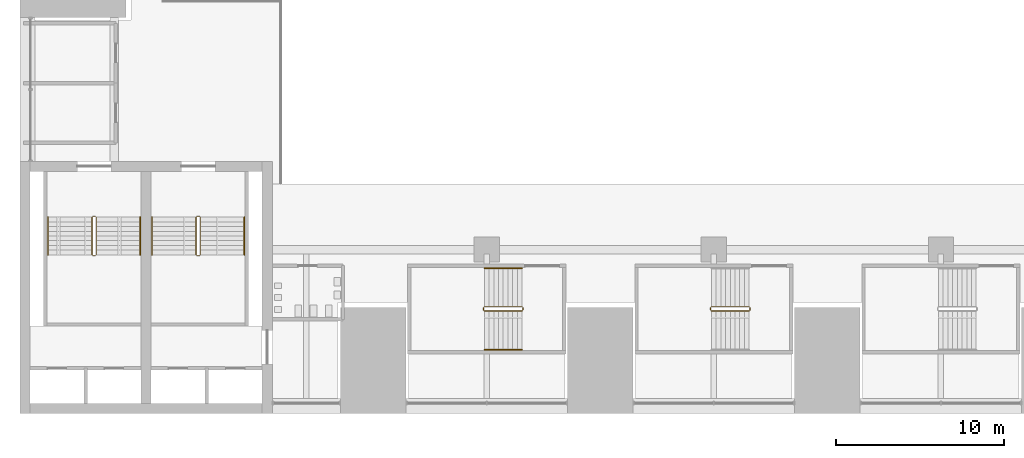
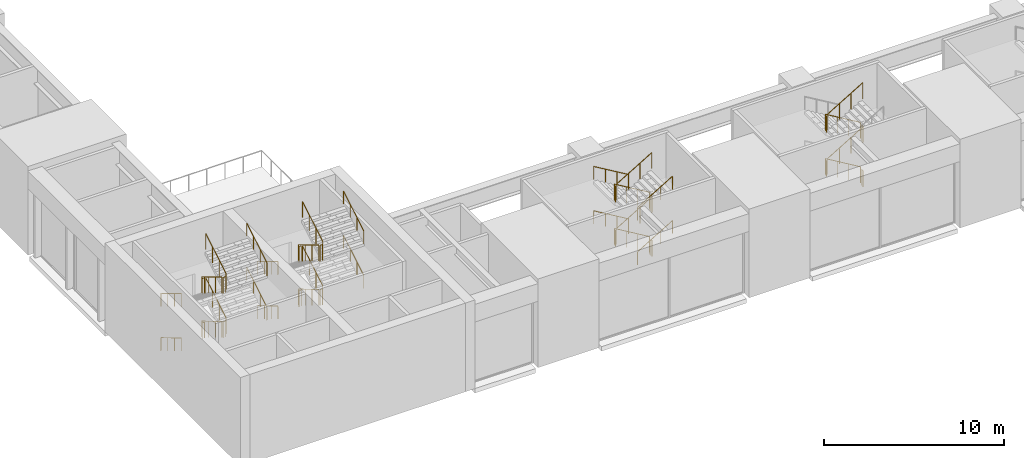
# One storey, part 35 of 41: 7 railings.
"""IFC4 building model written with IfcOpenShell, lengths in metres."""

from ifc_helpers import new_model, si_unit, direction, frame, origin, origin_2d, place, context, subcontext, project, spatial, circle, extrude, material, type_object, element, save


model = new_model("IFC4")

# Units and contexts
model_context = context("Model", 3, precision=1e-05, world=origin(), true_north=direction((0.0, 1.0)))
body_context = subcontext(model_context, "Body", "Model", "MODEL_VIEW")
ifc_project = project(units=[si_unit("LENGTHUNIT", "METRE"), si_unit("AREAUNIT", "SQUARE_METRE"), si_unit("VOLUMEUNIT", "CUBIC_METRE"), si_unit("PLANEANGLEUNIT", "RADIAN"), si_unit("MASSUNIT", "GRAM", prefix="KILO")], contexts=[model_context])

# Site, building, storey
site_placement = place(None, origin())
site = spatial("IfcSite", under=ifc_project, at=site_placement, CompositionType="ELEMENT")
building_placement = place(site_placement, origin())
building = spatial("IfcBuilding", under=site, at=building_placement, Name="Corbelhall Arena Tower", CompositionType="ELEMENT")
storey_placement = place(building_placement, frame((0.0, 0.0, 19.0)))
storey = spatial("IfcBuildingStorey", under=building, at=storey_placement, Name="L02", CompositionType="ELEMENT", Elevation=19.0)

# Railings
ifc_material = material(Name="Stainless steel A4", Category="steel")
railing_type_1 = type_object("IfcRailingType", Name="AR-STAIR-GUARD", PredefinedType="GUARDRAIL", material=ifc_material)
railing_1_placement = place(storey_placement, frame((-18.14990234375, -32.64990234375, 0.166748046875)))
element("IfcRailing", 1, at=railing_1_placement, inside=storey, type_object=railing_type_1, Name="L02 AS13 stair guards", PredefinedType="GUARDRAIL", context=body_context, shape_type="SweptSolid", body=[
    extrude(circle(Radius=0.02392578125, at=origin_2d()), frame((0.0, 0.0, 1.076171875), z_axis=(-0.859305625298, 0.0, 0.511462454469), x_axis=(0.0, -1.0, 0.0)), (0.0, 0.0, 1.0), 2.606689453125),
    extrude(circle(Radius=0.02392578125, at=origin_2d()), frame((-2.2900390625, -0.050048828125, 2.4091796875), z_axis=(0.0, -1.0, 0.0), x_axis=(1.0, 0.0, 0.0)), (0.0, 0.0, 1.0), 0.150146484375),
    extrude(circle(Radius=0.02392578125, at=origin_2d()), frame((-2.239990234375, -0.25, 2.576171875), z_axis=(0.859305625298, 0.0, 0.511462454469), x_axis=(0.0, 1.0, 0.0)), (0.0, 0.0, 1.0), 2.606689453125),
    extrude(circle(Radius=0.02392578125, at=origin_2d()), frame((0.0498046875, -0.050048828125, 3.9091796875), z_axis=(0.0, -1.0, 0.0), x_axis=(1.0, 0.0, 0.0)), (0.0, 0.0, 1.0), 0.150146484375),
    extrude(circle(Radius=0.02392578125, at=origin_2d()), frame((0.0, 0.0, 4.076171875), z_axis=(-0.859305625298, 0.0, 0.511462454469), x_axis=(0.0, -1.0, 0.0)), (0.0, 0.0, 1.0), 2.606689453125),
    extrude(circle(Radius=0.02392578125, at=origin_2d()), frame((-2.2900390625, -0.050048828125, 5.4091796875), z_axis=(0.0, -1.0, 0.0), x_axis=(1.0, 0.0, 0.0)), (0.0, 0.0, 1.0), 0.150146484375),
    extrude(circle(Radius=0.02392578125, at=origin_2d()), frame((-2.239990234375, -0.25, 5.576171875), z_axis=(0.859305625298, 0.0, 0.511462454469), x_axis=(0.0, 1.0, 0.0)), (0.0, 0.0, 1.0), 2.606689453125),
    extrude(circle(Radius=0.02392578125, at=origin_2d()), frame((0.0498046875, -0.050048828125, 0.9091796875), z_axis=(0.0, -1.0, 0.0), x_axis=(1.0, 0.0, 0.0)), (0.0, 0.0, 1.0), 0.150146484375),
    extrude(circle(Radius=0.02099609375, at=origin_2d()), origin(), (0.0, 0.0, 1.0), 1.052001953125),
    extrude(circle(Radius=0.02099609375, at=origin_2d()), frame((-0.74658203125, 0.0, 0.4443359375)), (0.0, 0.0, 1.0), 1.052001953125),
    extrude(circle(Radius=0.02099609375, at=origin_2d()), frame((-1.493408203125, 0.0, 0.888916015625)), (0.0, 0.0, 1.0), 1.052001953125),
    extrude(circle(Radius=0.02099609375, at=origin_2d()), frame((-2.239990234375, 0.0, 1.333251953125)), (0.0, 0.0, 1.0), 1.052001953125),
    extrude(circle(Radius=0.02099609375, at=origin_2d()), frame((-2.2900390625, -0.050048828125, 1.333251953125)), (0.0, 0.0, 1.0), 1.052001953125),
    extrude(circle(Radius=0.02099609375, at=origin_2d()), frame((-2.2900390625, -0.2001953125, 1.333251953125)), (0.0, 0.0, 1.0), 1.052001953125),
    extrude(circle(Radius=0.02099609375, at=origin_2d()), frame((-2.239990234375, -0.25, 1.5)), (0.0, 0.0, 1.0), 1.052001953125),
    extrude(circle(Radius=0.02099609375, at=origin_2d()), frame((-1.493408203125, -0.25, 1.9443359375)), (0.0, 0.0, 1.0), 1.052001953125),
    extrude(circle(Radius=0.02099609375, at=origin_2d()), frame((-0.74658203125, -0.25, 2.388916015625)), (0.0, 0.0, 1.0), 1.052001953125),
    extrude(circle(Radius=0.02099609375, at=origin_2d()), frame((0.0, -0.25, 2.833251953125)), (0.0, 0.0, 1.0), 1.052001953125),
    extrude(circle(Radius=0.02099609375, at=origin_2d()), frame((0.0498046875, -0.050048828125, 2.833251953125)), (0.0, 0.0, 1.0), 1.052001953125),
    extrude(circle(Radius=0.02099609375, at=origin_2d()), frame((0.0498046875, -0.2001953125, 2.833251953125)), (0.0, 0.0, 1.0), 1.052001953125),
    extrude(circle(Radius=0.02099609375, at=origin_2d()), frame((0.0, 0.0, 3.0)), (0.0, 0.0, 1.0), 1.052001953125),
    extrude(circle(Radius=0.02099609375, at=origin_2d()), frame((-0.74658203125, 0.0, 3.4443359375)), (0.0, 0.0, 1.0), 1.052001953125),
    extrude(circle(Radius=0.02099609375, at=origin_2d()), frame((-1.493408203125, 0.0, 3.888916015625)), (0.0, 0.0, 1.0), 1.052001953125),
    extrude(circle(Radius=0.02099609375, at=origin_2d()), frame((-2.239990234375, 0.0, 4.333251953125)), (0.0, 0.0, 1.0), 1.052001953125),
    extrude(circle(Radius=0.02099609375, at=origin_2d()), frame((-2.2900390625, -0.050048828125, 4.333251953125)), (0.0, 0.0, 1.0), 1.052001953125),
    extrude(circle(Radius=0.02099609375, at=origin_2d()), frame((-2.2900390625, -0.2001953125, 4.333251953125)), (0.0, 0.0, 1.0), 1.052001953125),
    extrude(circle(Radius=0.02099609375, at=origin_2d()), frame((-2.239990234375, -0.25, 4.5)), (0.0, 0.0, 1.0), 1.052001953125),
    extrude(circle(Radius=0.02099609375, at=origin_2d()), frame((-1.493408203125, -0.25, 4.9443359375)), (0.0, 0.0, 1.0), 1.052001953125),
    extrude(circle(Radius=0.02099609375, at=origin_2d()), frame((-0.74658203125, -0.25, 5.388916015625)), (0.0, 0.0, 1.0), 1.052001953125),
    extrude(circle(Radius=0.02099609375, at=origin_2d()), frame((0.0, -0.25, 5.833251953125)), (0.0, 0.0, 1.0), 1.052001953125),
    extrude(circle(Radius=0.02099609375, at=origin_2d()), frame((0.0498046875, -0.050048828125, -0.166748046875)), (0.0, 0.0, 1.0), 1.052001953125),
    extrude(circle(Radius=0.02099609375, at=origin_2d()), frame((0.0498046875, -0.2001953125, -0.166748046875)), (0.0, 0.0, 1.0), 1.052001953125),
])
railing_2_placement = place(storey_placement, frame((-4.64990234375, -32.64990234375, 0.166748046875)))
element("IfcRailing", 2, at=railing_2_placement, inside=storey, type_object=railing_type_1, Name="L02 AS14 stair guards", PredefinedType="GUARDRAIL", context=body_context, shape_type="SweptSolid", body=[
    extrude(circle(Radius=0.02392578125, at=origin_2d()), frame((0.0, 0.0, 1.076171875), z_axis=(-0.859305625298, 0.0, 0.511462454469), x_axis=(0.0, -1.0, 0.0)), (0.0, 0.0, 1.0), 2.606689453125),
    extrude(circle(Radius=0.02392578125, at=origin_2d()), frame((-2.2900390625, -0.050048828125, 2.4091796875), z_axis=(0.0, -1.0, 0.0), x_axis=(1.0, 0.0, 0.0)), (0.0, 0.0, 1.0), 0.150146484375),
    extrude(circle(Radius=0.02392578125, at=origin_2d()), frame((-2.239990234375, -0.25, 2.576171875), z_axis=(0.859305625298, 0.0, 0.511462454469), x_axis=(0.0, 1.0, 0.0)), (0.0, 0.0, 1.0), 2.606689453125),
    extrude(circle(Radius=0.02392578125, at=origin_2d()), frame((0.0498046875, -0.050048828125, 3.9091796875), z_axis=(0.0, -1.0, 0.0), x_axis=(1.0, 0.0, 0.0)), (0.0, 0.0, 1.0), 0.150146484375),
    extrude(circle(Radius=0.02392578125, at=origin_2d()), frame((0.0, 0.0, 4.076171875), z_axis=(-0.859305625298, 0.0, 0.511462454469), x_axis=(0.0, -1.0, 0.0)), (0.0, 0.0, 1.0), 2.606689453125),
    extrude(circle(Radius=0.02392578125, at=origin_2d()), frame((-2.2900390625, -0.050048828125, 5.4091796875), z_axis=(0.0, -1.0, 0.0), x_axis=(1.0, 0.0, 0.0)), (0.0, 0.0, 1.0), 0.150146484375),
    extrude(circle(Radius=0.02392578125, at=origin_2d()), frame((-2.239990234375, -0.25, 5.576171875), z_axis=(0.859305625298, 0.0, 0.511462454469), x_axis=(0.0, 1.0, 0.0)), (0.0, 0.0, 1.0), 2.606689453125),
    extrude(circle(Radius=0.02392578125, at=origin_2d()), frame((0.0498046875, -0.050048828125, 0.9091796875), z_axis=(0.0, -1.0, 0.0), x_axis=(1.0, 0.0, 0.0)), (0.0, 0.0, 1.0), 0.150146484375),
    extrude(circle(Radius=0.02099609375, at=origin_2d()), origin(), (0.0, 0.0, 1.0), 1.052001953125),
    extrude(circle(Radius=0.02099609375, at=origin_2d()), frame((-0.74658203125, 0.0, 0.4443359375)), (0.0, 0.0, 1.0), 1.052001953125),
    extrude(circle(Radius=0.02099609375, at=origin_2d()), frame((-1.493408203125, 0.0, 0.888916015625)), (0.0, 0.0, 1.0), 1.052001953125),
    extrude(circle(Radius=0.02099609375, at=origin_2d()), frame((-2.239990234375, 0.0, 1.333251953125)), (0.0, 0.0, 1.0), 1.052001953125),
    extrude(circle(Radius=0.02099609375, at=origin_2d()), frame((-2.2900390625, -0.050048828125, 1.333251953125)), (0.0, 0.0, 1.0), 1.052001953125),
    extrude(circle(Radius=0.02099609375, at=origin_2d()), frame((-2.2900390625, -0.2001953125, 1.333251953125)), (0.0, 0.0, 1.0), 1.052001953125),
    extrude(circle(Radius=0.02099609375, at=origin_2d()), frame((-2.239990234375, -0.25, 1.5)), (0.0, 0.0, 1.0), 1.052001953125),
    extrude(circle(Radius=0.02099609375, at=origin_2d()), frame((-1.493408203125, -0.25, 1.9443359375)), (0.0, 0.0, 1.0), 1.052001953125),
    extrude(circle(Radius=0.02099609375, at=origin_2d()), frame((-0.74658203125, -0.25, 2.388916015625)), (0.0, 0.0, 1.0), 1.052001953125),
    extrude(circle(Radius=0.02099609375, at=origin_2d()), frame((0.0, -0.25, 2.833251953125)), (0.0, 0.0, 1.0), 1.052001953125),
    extrude(circle(Radius=0.02099609375, at=origin_2d()), frame((0.0498046875, -0.050048828125, 2.833251953125)), (0.0, 0.0, 1.0), 1.052001953125),
    extrude(circle(Radius=0.02099609375, at=origin_2d()), frame((0.0498046875, -0.2001953125, 2.833251953125)), (0.0, 0.0, 1.0), 1.052001953125),
    extrude(circle(Radius=0.02099609375, at=origin_2d()), frame((0.0, 0.0, 3.0)), (0.0, 0.0, 1.0), 1.052001953125),
    extrude(circle(Radius=0.02099609375, at=origin_2d()), frame((-0.74658203125, 0.0, 3.4443359375)), (0.0, 0.0, 1.0), 1.052001953125),
    extrude(circle(Radius=0.02099609375, at=origin_2d()), frame((-1.493408203125, 0.0, 3.888916015625)), (0.0, 0.0, 1.0), 1.052001953125),
    extrude(circle(Radius=0.02099609375, at=origin_2d()), frame((-2.239990234375, 0.0, 4.333251953125)), (0.0, 0.0, 1.0), 1.052001953125),
    extrude(circle(Radius=0.02099609375, at=origin_2d()), frame((-2.2900390625, -0.050048828125, 4.333251953125)), (0.0, 0.0, 1.0), 1.052001953125),
    extrude(circle(Radius=0.02099609375, at=origin_2d()), frame((-2.2900390625, -0.2001953125, 4.333251953125)), (0.0, 0.0, 1.0), 1.052001953125),
    extrude(circle(Radius=0.02099609375, at=origin_2d()), frame((-2.239990234375, -0.25, 4.5)), (0.0, 0.0, 1.0), 1.052001953125),
    extrude(circle(Radius=0.02099609375, at=origin_2d()), frame((-1.493408203125, -0.25, 4.9443359375)), (0.0, 0.0, 1.0), 1.052001953125),
    extrude(circle(Radius=0.02099609375, at=origin_2d()), frame((-0.74658203125, -0.25, 5.388916015625)), (0.0, 0.0, 1.0), 1.052001953125),
    extrude(circle(Radius=0.02099609375, at=origin_2d()), frame((0.0, -0.25, 5.833251953125)), (0.0, 0.0, 1.0), 1.052001953125),
    extrude(circle(Radius=0.02099609375, at=origin_2d()), frame((0.0498046875, -0.050048828125, -0.166748046875)), (0.0, 0.0, 1.0), 1.052001953125),
    extrude(circle(Radius=0.02099609375, at=origin_2d()), frame((0.0498046875, -0.2001953125, -0.166748046875)), (0.0, 0.0, 1.0), 1.052001953125),
])
railing_3_placement = place(storey_placement, frame((-37.530029296875, -27.320068359375, 0.166748046875)))
element("IfcRailing", 3, at=railing_3_placement, inside=storey, type_object=railing_type_1, Name="L02 AS7 stair guards", PredefinedType="GUARDRAIL", context=body_context, shape_type="SweptSolid", body=[
    extrude(circle(Radius=0.02392578125, at=origin_2d()), frame((0.0, 0.0, 1.076171875), z_axis=(0.0, -0.859305625298, 0.511462454469), x_axis=(1.0, 0.0, 0.0)), (0.0, 0.0, 1.0), 2.606689453125),
    extrude(circle(Radius=0.02392578125, at=origin_2d()), frame((0.050048828125, -2.2900390625, 2.4091796875), z_axis=(1.0, 0.0, 0.0), x_axis=(0.0, 1.0, 0.0)), (0.0, 0.0, 1.0), 0.14990234375),
    extrude(circle(Radius=0.02392578125, at=origin_2d()), frame((0.25, -2.239990234375, 2.576171875), z_axis=(0.0, 0.859305625298, 0.511462454469), x_axis=(-1.0, 0.0, 0.0)), (0.0, 0.0, 1.0), 2.606689453125),
    extrude(circle(Radius=0.02392578125, at=origin_2d()), frame((0.050048828125, 0.050048828125, 3.9091796875), z_axis=(1.0, 0.0, 0.0), x_axis=(0.0, 1.0, 0.0)), (0.0, 0.0, 1.0), 0.14990234375),
    extrude(circle(Radius=0.02392578125, at=origin_2d()), frame((0.0, 0.0, 4.076171875), z_axis=(0.0, -0.859305625298, 0.511462454469), x_axis=(1.0, 0.0, 0.0)), (0.0, 0.0, 1.0), 2.606689453125),
    extrude(circle(Radius=0.02392578125, at=origin_2d()), frame((0.050048828125, -2.2900390625, 5.4091796875), z_axis=(1.0, 0.0, 0.0), x_axis=(0.0, 1.0, 0.0)), (0.0, 0.0, 1.0), 0.14990234375),
    extrude(circle(Radius=0.02392578125, at=origin_2d()), frame((0.25, -2.239990234375, 5.576171875), z_axis=(0.0, 0.859305625298, 0.511462454469), x_axis=(-1.0, 0.0, 0.0)), (0.0, 0.0, 1.0), 2.606689453125),
    extrude(circle(Radius=0.02392578125, at=origin_2d()), frame((0.050048828125, 0.050048828125, 0.9091796875), z_axis=(1.0, 0.0, 0.0), x_axis=(0.0, 1.0, 0.0)), (0.0, 0.0, 1.0), 0.14990234375),
    extrude(circle(Radius=0.02099609375, at=origin_2d()), origin(), (0.0, 0.0, 1.0), 1.052001953125),
    extrude(circle(Radius=0.02099609375, at=origin_2d()), frame((0.0, -0.74658203125, 0.4443359375)), (0.0, 0.0, 1.0), 1.052001953125),
    extrude(circle(Radius=0.02099609375, at=origin_2d()), frame((0.0, -1.493408203125, 0.888916015625)), (0.0, 0.0, 1.0), 1.052001953125),
    extrude(circle(Radius=0.02099609375, at=origin_2d()), frame((0.0, -2.239990234375, 1.333251953125)), (0.0, 0.0, 1.0), 1.052001953125),
    extrude(circle(Radius=0.02099609375, at=origin_2d()), frame((0.050048828125, -2.2900390625, 1.333251953125)), (0.0, 0.0, 1.0), 1.052001953125),
    extrude(circle(Radius=0.02099609375, at=origin_2d()), frame((0.199951171875, -2.2900390625, 1.333251953125)), (0.0, 0.0, 1.0), 1.052001953125),
    extrude(circle(Radius=0.02099609375, at=origin_2d()), frame((0.25, -2.239990234375, 1.5)), (0.0, 0.0, 1.0), 1.052001953125),
    extrude(circle(Radius=0.02099609375, at=origin_2d()), frame((0.25, -1.493408203125, 1.9443359375)), (0.0, 0.0, 1.0), 1.052001953125),
    extrude(circle(Radius=0.02099609375, at=origin_2d()), frame((0.25, -0.74658203125, 2.388916015625)), (0.0, 0.0, 1.0), 1.052001953125),
    extrude(circle(Radius=0.02099609375, at=origin_2d()), frame((0.25, 0.0, 2.833251953125)), (0.0, 0.0, 1.0), 1.052001953125),
    extrude(circle(Radius=0.02099609375, at=origin_2d()), frame((0.050048828125, 0.050048828125, 2.833251953125)), (0.0, 0.0, 1.0), 1.052001953125),
    extrude(circle(Radius=0.02099609375, at=origin_2d()), frame((0.199951171875, 0.050048828125, 2.833251953125)), (0.0, 0.0, 1.0), 1.052001953125),
    extrude(circle(Radius=0.02099609375, at=origin_2d()), frame((0.0, 0.0, 3.0)), (0.0, 0.0, 1.0), 1.052001953125),
    extrude(circle(Radius=0.02099609375, at=origin_2d()), frame((0.0, -0.74658203125, 3.4443359375)), (0.0, 0.0, 1.0), 1.052001953125),
    extrude(circle(Radius=0.02099609375, at=origin_2d()), frame((0.0, -1.493408203125, 3.888916015625)), (0.0, 0.0, 1.0), 1.052001953125),
    extrude(circle(Radius=0.02099609375, at=origin_2d()), frame((0.0, -2.239990234375, 4.333251953125)), (0.0, 0.0, 1.0), 1.052001953125),
    extrude(circle(Radius=0.02099609375, at=origin_2d()), frame((0.050048828125, -2.2900390625, 4.333251953125)), (0.0, 0.0, 1.0), 1.052001953125),
    extrude(circle(Radius=0.02099609375, at=origin_2d()), frame((0.199951171875, -2.2900390625, 4.333251953125)), (0.0, 0.0, 1.0), 1.052001953125),
    extrude(circle(Radius=0.02099609375, at=origin_2d()), frame((0.25, -2.239990234375, 4.5)), (0.0, 0.0, 1.0), 1.052001953125),
    extrude(circle(Radius=0.02099609375, at=origin_2d()), frame((0.25, -1.493408203125, 4.9443359375)), (0.0, 0.0, 1.0), 1.052001953125),
    extrude(circle(Radius=0.02099609375, at=origin_2d()), frame((0.25, -0.74658203125, 5.388916015625)), (0.0, 0.0, 1.0), 1.052001953125),
    extrude(circle(Radius=0.02099609375, at=origin_2d()), frame((0.25, 0.0, 5.833251953125)), (0.0, 0.0, 1.0), 1.052001953125),
    extrude(circle(Radius=0.02099609375, at=origin_2d()), frame((0.050048828125, 0.050048828125, -0.166748046875)), (0.0, 0.0, 1.0), 1.052001953125),
    extrude(circle(Radius=0.02099609375, at=origin_2d()), frame((0.199951171875, 0.050048828125, -0.166748046875)), (0.0, 0.0, 1.0), 1.052001953125),
])
railing_4_placement = place(storey_placement, frame((-43.719970703125, -27.320068359375, 0.166748046875)))
element("IfcRailing", 4, at=railing_4_placement, inside=storey, type_object=railing_type_1, Name="L02 AS8 stair guards", PredefinedType="GUARDRAIL", context=body_context, shape_type="SweptSolid", body=[
    extrude(circle(Radius=0.02392578125, at=origin_2d()), frame((0.0, 0.0, 1.076171875), z_axis=(0.0, -0.859305625298, 0.511462454469), x_axis=(1.0, 0.0, 0.0)), (0.0, 0.0, 1.0), 2.606689453125),
    extrude(circle(Radius=0.02392578125, at=origin_2d()), frame((0.050048828125, -2.2900390625, 2.4091796875), z_axis=(1.0, 0.0, 0.0), x_axis=(0.0, 1.0, 0.0)), (0.0, 0.0, 1.0), 0.14990234375),
    extrude(circle(Radius=0.02392578125, at=origin_2d()), frame((0.25, -2.239990234375, 2.576171875), z_axis=(0.0, 0.859305625298, 0.511462454469), x_axis=(-1.0, 0.0, 0.0)), (0.0, 0.0, 1.0), 2.606689453125),
    extrude(circle(Radius=0.02392578125, at=origin_2d()), frame((0.050048828125, 0.050048828125, 3.9091796875), z_axis=(1.0, 0.0, 0.0), x_axis=(0.0, 1.0, 0.0)), (0.0, 0.0, 1.0), 0.14990234375),
    extrude(circle(Radius=0.02392578125, at=origin_2d()), frame((0.0, 0.0, 4.076171875), z_axis=(0.0, -0.859305625298, 0.511462454469), x_axis=(1.0, 0.0, 0.0)), (0.0, 0.0, 1.0), 2.606689453125),
    extrude(circle(Radius=0.02392578125, at=origin_2d()), frame((0.050048828125, -2.2900390625, 5.4091796875), z_axis=(1.0, 0.0, 0.0), x_axis=(0.0, 1.0, 0.0)), (0.0, 0.0, 1.0), 0.14990234375),
    extrude(circle(Radius=0.02392578125, at=origin_2d()), frame((0.25, -2.239990234375, 5.576171875), z_axis=(0.0, 0.859305625298, 0.511462454469), x_axis=(-1.0, 0.0, 0.0)), (0.0, 0.0, 1.0), 2.606689453125),
    extrude(circle(Radius=0.02392578125, at=origin_2d()), frame((0.050048828125, 0.050048828125, 0.9091796875), z_axis=(1.0, 0.0, 0.0), x_axis=(0.0, 1.0, 0.0)), (0.0, 0.0, 1.0), 0.14990234375),
    extrude(circle(Radius=0.02099609375, at=origin_2d()), origin(), (0.0, 0.0, 1.0), 1.052001953125),
    extrude(circle(Radius=0.02099609375, at=origin_2d()), frame((0.0, -0.74658203125, 0.4443359375)), (0.0, 0.0, 1.0), 1.052001953125),
    extrude(circle(Radius=0.02099609375, at=origin_2d()), frame((0.0, -1.493408203125, 0.888916015625)), (0.0, 0.0, 1.0), 1.052001953125),
    extrude(circle(Radius=0.02099609375, at=origin_2d()), frame((0.0, -2.239990234375, 1.333251953125)), (0.0, 0.0, 1.0), 1.052001953125),
    extrude(circle(Radius=0.02099609375, at=origin_2d()), frame((0.050048828125, -2.2900390625, 1.333251953125)), (0.0, 0.0, 1.0), 1.052001953125),
    extrude(circle(Radius=0.02099609375, at=origin_2d()), frame((0.199951171875, -2.2900390625, 1.333251953125)), (0.0, 0.0, 1.0), 1.052001953125),
    extrude(circle(Radius=0.02099609375, at=origin_2d()), frame((0.25, -2.239990234375, 1.5)), (0.0, 0.0, 1.0), 1.052001953125),
    extrude(circle(Radius=0.02099609375, at=origin_2d()), frame((0.25, -1.493408203125, 1.9443359375)), (0.0, 0.0, 1.0), 1.052001953125),
    extrude(circle(Radius=0.02099609375, at=origin_2d()), frame((0.25, -0.74658203125, 2.388916015625)), (0.0, 0.0, 1.0), 1.052001953125),
    extrude(circle(Radius=0.02099609375, at=origin_2d()), frame((0.25, 0.0, 2.833251953125)), (0.0, 0.0, 1.0), 1.052001953125),
    extrude(circle(Radius=0.02099609375, at=origin_2d()), frame((0.050048828125, 0.050048828125, 2.833251953125)), (0.0, 0.0, 1.0), 1.052001953125),
    extrude(circle(Radius=0.02099609375, at=origin_2d()), frame((0.199951171875, 0.050048828125, 2.833251953125)), (0.0, 0.0, 1.0), 1.052001953125),
    extrude(circle(Radius=0.02099609375, at=origin_2d()), frame((0.0, 0.0, 3.0)), (0.0, 0.0, 1.0), 1.052001953125),
    extrude(circle(Radius=0.02099609375, at=origin_2d()), frame((0.0, -0.74658203125, 3.4443359375)), (0.0, 0.0, 1.0), 1.052001953125),
    extrude(circle(Radius=0.02099609375, at=origin_2d()), frame((0.0, -1.493408203125, 3.888916015625)), (0.0, 0.0, 1.0), 1.052001953125),
    extrude(circle(Radius=0.02099609375, at=origin_2d()), frame((0.0, -2.239990234375, 4.333251953125)), (0.0, 0.0, 1.0), 1.052001953125),
    extrude(circle(Radius=0.02099609375, at=origin_2d()), frame((0.050048828125, -2.2900390625, 4.333251953125)), (0.0, 0.0, 1.0), 1.052001953125),
    extrude(circle(Radius=0.02099609375, at=origin_2d()), frame((0.199951171875, -2.2900390625, 4.333251953125)), (0.0, 0.0, 1.0), 1.052001953125),
    extrude(circle(Radius=0.02099609375, at=origin_2d()), frame((0.25, -2.239990234375, 4.5)), (0.0, 0.0, 1.0), 1.052001953125),
    extrude(circle(Radius=0.02099609375, at=origin_2d()), frame((0.25, -1.493408203125, 4.9443359375)), (0.0, 0.0, 1.0), 1.052001953125),
    extrude(circle(Radius=0.02099609375, at=origin_2d()), frame((0.25, -0.74658203125, 5.388916015625)), (0.0, 0.0, 1.0), 1.052001953125),
    extrude(circle(Radius=0.02099609375, at=origin_2d()), frame((0.25, 0.0, 5.833251953125)), (0.0, 0.0, 1.0), 1.052001953125),
    extrude(circle(Radius=0.02099609375, at=origin_2d()), frame((0.050048828125, 0.050048828125, -0.166748046875)), (0.0, 0.0, 1.0), 1.052001953125),
    extrude(circle(Radius=0.02099609375, at=origin_2d()), frame((0.199951171875, 0.050048828125, -0.166748046875)), (0.0, 0.0, 1.0), 1.052001953125),
])
railing_type_2 = type_object("IfcRailingType", Name="AR-STAIR-HANDRAIL", PredefinedType="HANDRAIL", material=ifc_material)
railing_5_placement = place(storey_placement, frame((-18.14990234375, -30.35009765625, 0.166748046875)))
element("IfcRailing", 5, at=railing_5_placement, inside=storey, type_object=railing_type_2, Name="L02 AS13 stair handrails", PredefinedType="HANDRAIL", context=body_context, shape_type="SweptSolid", body=[
    extrude(circle(Radius=0.02392578125, at=origin_2d()), frame((0.0, 0.0, 0.8759765625), z_axis=(-0.859305625298, 0.0, 0.511462454469), x_axis=(0.0, -1.0, 0.0)), (0.0, 0.0, 1.0), 2.606689453125),
    extrude(circle(Radius=0.02392578125, at=origin_2d()), frame((-2.239990234375, -4.849853515625, 2.3759765625), z_axis=(0.859305625298, 0.0, 0.511462454469), x_axis=(0.0, 1.0, 0.0)), (0.0, 0.0, 1.0), 2.606689453125),
    extrude(circle(Radius=0.02392578125, at=origin_2d()), frame((0.0, 0.0, 3.8759765625), z_axis=(-0.859305625298, 0.0, 0.511462454469), x_axis=(0.0, -1.0, 0.0)), (0.0, 0.0, 1.0), 2.606689453125),
    extrude(circle(Radius=0.02392578125, at=origin_2d()), frame((-2.239990234375, -4.849853515625, 5.3759765625), z_axis=(0.859305625298, 0.0, 0.511462454469), x_axis=(0.0, 1.0, 0.0)), (0.0, 0.0, 1.0), 2.606689453125),
    extrude(circle(Radius=0.02099609375, at=origin_2d()), origin(), (0.0, 0.0, 1.0), 0.851806640625),
    extrude(circle(Radius=0.02099609375, at=origin_2d()), frame((-0.74658203125, 0.0, 0.4443359375)), (0.0, 0.0, 1.0), 0.851806640625),
    extrude(circle(Radius=0.02099609375, at=origin_2d()), frame((-1.493408203125, 0.0, 0.888916015625)), (0.0, 0.0, 1.0), 0.851806640625),
    extrude(circle(Radius=0.02099609375, at=origin_2d()), frame((-2.239990234375, 0.0, 1.333251953125)), (0.0, 0.0, 1.0), 0.851806640625),
    extrude(circle(Radius=0.02099609375, at=origin_2d()), frame((-2.239990234375, -4.849853515625, 1.5)), (0.0, 0.0, 1.0), 0.851806640625),
    extrude(circle(Radius=0.02099609375, at=origin_2d()), frame((-1.493408203125, -4.849853515625, 1.9443359375)), (0.0, 0.0, 1.0), 0.851806640625),
    extrude(circle(Radius=0.02099609375, at=origin_2d()), frame((-0.74658203125, -4.849853515625, 2.388916015625)), (0.0, 0.0, 1.0), 0.851806640625),
    extrude(circle(Radius=0.02099609375, at=origin_2d()), frame((0.0, -4.849853515625, 2.833251953125)), (0.0, 0.0, 1.0), 0.851806640625),
    extrude(circle(Radius=0.02099609375, at=origin_2d()), frame((0.0, 0.0, 3.0)), (0.0, 0.0, 1.0), 0.851806640625),
    extrude(circle(Radius=0.02099609375, at=origin_2d()), frame((-0.74658203125, 0.0, 3.4443359375)), (0.0, 0.0, 1.0), 0.851806640625),
    extrude(circle(Radius=0.02099609375, at=origin_2d()), frame((-1.493408203125, 0.0, 3.888916015625)), (0.0, 0.0, 1.0), 0.851806640625),
    extrude(circle(Radius=0.02099609375, at=origin_2d()), frame((-2.239990234375, 0.0, 4.333251953125)), (0.0, 0.0, 1.0), 0.851806640625),
    extrude(circle(Radius=0.02099609375, at=origin_2d()), frame((-2.239990234375, -4.849853515625, 4.5)), (0.0, 0.0, 1.0), 0.851806640625),
    extrude(circle(Radius=0.02099609375, at=origin_2d()), frame((-1.493408203125, -4.849853515625, 4.9443359375)), (0.0, 0.0, 1.0), 0.851806640625),
    extrude(circle(Radius=0.02099609375, at=origin_2d()), frame((-0.74658203125, -4.849853515625, 5.388916015625)), (0.0, 0.0, 1.0), 0.851806640625),
    extrude(circle(Radius=0.02099609375, at=origin_2d()), frame((0.0, -4.849853515625, 5.833251953125)), (0.0, 0.0, 1.0), 0.851806640625),
])
railing_6_placement = place(storey_placement, frame((-40.14990234375, -27.320068359375, 0.166748046875)))
element("IfcRailing", 6, at=railing_6_placement, inside=storey, type_object=railing_type_2, Name="L02 AS7 stair handrails", PredefinedType="HANDRAIL", context=body_context, shape_type="SweptSolid", body=[
    extrude(circle(Radius=0.02392578125, at=origin_2d()), frame((0.0, 0.0, 0.8759765625), z_axis=(0.0, -0.859305625298, 0.511462454469), x_axis=(1.0, 0.0, 0.0)), (0.0, 0.0, 1.0), 2.606689453125),
    extrude(circle(Radius=0.02392578125, at=origin_2d()), frame((5.489990234375, -2.239990234375, 2.3759765625), z_axis=(0.0, 0.859305625298, 0.511462454469), x_axis=(-1.0, 0.0, 0.0)), (0.0, 0.0, 1.0), 2.606689453125),
    extrude(circle(Radius=0.02392578125, at=origin_2d()), frame((0.0, 0.0, 3.8759765625), z_axis=(0.0, -0.859305625298, 0.511462454469), x_axis=(1.0, 0.0, 0.0)), (0.0, 0.0, 1.0), 2.606689453125),
    extrude(circle(Radius=0.02392578125, at=origin_2d()), frame((5.489990234375, -2.239990234375, 5.3759765625), z_axis=(0.0, 0.859305625298, 0.511462454469), x_axis=(-1.0, 0.0, 0.0)), (0.0, 0.0, 1.0), 2.606689453125),
    extrude(circle(Radius=0.02099609375, at=origin_2d()), origin(), (0.0, 0.0, 1.0), 0.851806640625),
    extrude(circle(Radius=0.02099609375, at=origin_2d()), frame((0.0, -0.74658203125, 0.4443359375)), (0.0, 0.0, 1.0), 0.851806640625),
    extrude(circle(Radius=0.02099609375, at=origin_2d()), frame((0.0, -1.493408203125, 0.888916015625)), (0.0, 0.0, 1.0), 0.851806640625),
    extrude(circle(Radius=0.02099609375, at=origin_2d()), frame((0.0, -2.239990234375, 1.333251953125)), (0.0, 0.0, 1.0), 0.851806640625),
    extrude(circle(Radius=0.02099609375, at=origin_2d()), frame((5.489990234375, -2.239990234375, 1.5)), (0.0, 0.0, 1.0), 0.851806640625),
    extrude(circle(Radius=0.02099609375, at=origin_2d()), frame((5.489990234375, -1.493408203125, 1.9443359375)), (0.0, 0.0, 1.0), 0.851806640625),
    extrude(circle(Radius=0.02099609375, at=origin_2d()), frame((5.489990234375, -0.74658203125, 2.388916015625)), (0.0, 0.0, 1.0), 0.851806640625),
    extrude(circle(Radius=0.02099609375, at=origin_2d()), frame((5.489990234375, 0.0, 2.833251953125)), (0.0, 0.0, 1.0), 0.851806640625),
    extrude(circle(Radius=0.02099609375, at=origin_2d()), frame((0.0, 0.0, 3.0)), (0.0, 0.0, 1.0), 0.851806640625),
    extrude(circle(Radius=0.02099609375, at=origin_2d()), frame((0.0, -0.74658203125, 3.4443359375)), (0.0, 0.0, 1.0), 0.851806640625),
    extrude(circle(Radius=0.02099609375, at=origin_2d()), frame((0.0, -1.493408203125, 3.888916015625)), (0.0, 0.0, 1.0), 0.851806640625),
    extrude(circle(Radius=0.02099609375, at=origin_2d()), frame((0.0, -2.239990234375, 4.333251953125)), (0.0, 0.0, 1.0), 0.851806640625),
    extrude(circle(Radius=0.02099609375, at=origin_2d()), frame((5.489990234375, -2.239990234375, 4.5)), (0.0, 0.0, 1.0), 0.851806640625),
    extrude(circle(Radius=0.02099609375, at=origin_2d()), frame((5.489990234375, -1.493408203125, 4.9443359375)), (0.0, 0.0, 1.0), 0.851806640625),
    extrude(circle(Radius=0.02099609375, at=origin_2d()), frame((5.489990234375, -0.74658203125, 5.388916015625)), (0.0, 0.0, 1.0), 0.851806640625),
    extrude(circle(Radius=0.02099609375, at=origin_2d()), frame((5.489990234375, 0.0, 5.833251953125)), (0.0, 0.0, 1.0), 0.851806640625),
])
railing_7_placement = place(storey_placement, frame((-46.340087890625, -27.320068359375, 0.166748046875)))
element("IfcRailing", 7, at=railing_7_placement, inside=storey, type_object=railing_type_2, Name="L02 AS8 stair handrails", PredefinedType="HANDRAIL", context=body_context, shape_type="SweptSolid", body=[
    extrude(circle(Radius=0.02392578125, at=origin_2d()), frame((0.0, 0.0, 0.8759765625), z_axis=(0.0, -0.859305625298, 0.511462454469), x_axis=(1.0, 0.0, 0.0)), (0.0, 0.0, 1.0), 2.606689453125),
    extrude(circle(Radius=0.02392578125, at=origin_2d()), frame((5.489990234375, -2.239990234375, 2.3759765625), z_axis=(0.0, 0.859305625298, 0.511462454469), x_axis=(-1.0, 0.0, 0.0)), (0.0, 0.0, 1.0), 2.606689453125),
    extrude(circle(Radius=0.02392578125, at=origin_2d()), frame((0.0, 0.0, 3.8759765625), z_axis=(0.0, -0.859305625298, 0.511462454469), x_axis=(1.0, 0.0, 0.0)), (0.0, 0.0, 1.0), 2.606689453125),
    extrude(circle(Radius=0.02392578125, at=origin_2d()), frame((5.489990234375, -2.239990234375, 5.3759765625), z_axis=(0.0, 0.859305625298, 0.511462454469), x_axis=(-1.0, 0.0, 0.0)), (0.0, 0.0, 1.0), 2.606689453125),
    extrude(circle(Radius=0.02099609375, at=origin_2d()), origin(), (0.0, 0.0, 1.0), 0.851806640625),
    extrude(circle(Radius=0.02099609375, at=origin_2d()), frame((0.0, -0.74658203125, 0.4443359375)), (0.0, 0.0, 1.0), 0.851806640625),
    extrude(circle(Radius=0.02099609375, at=origin_2d()), frame((0.0, -1.493408203125, 0.888916015625)), (0.0, 0.0, 1.0), 0.851806640625),
    extrude(circle(Radius=0.02099609375, at=origin_2d()), frame((0.0, -2.239990234375, 1.333251953125)), (0.0, 0.0, 1.0), 0.851806640625),
    extrude(circle(Radius=0.02099609375, at=origin_2d()), frame((5.489990234375, -2.239990234375, 1.5)), (0.0, 0.0, 1.0), 0.851806640625),
    extrude(circle(Radius=0.02099609375, at=origin_2d()), frame((5.489990234375, -1.493408203125, 1.9443359375)), (0.0, 0.0, 1.0), 0.851806640625),
    extrude(circle(Radius=0.02099609375, at=origin_2d()), frame((5.489990234375, -0.74658203125, 2.388916015625)), (0.0, 0.0, 1.0), 0.851806640625),
    extrude(circle(Radius=0.02099609375, at=origin_2d()), frame((5.489990234375, 0.0, 2.833251953125)), (0.0, 0.0, 1.0), 0.851806640625),
    extrude(circle(Radius=0.02099609375, at=origin_2d()), frame((0.0, 0.0, 3.0)), (0.0, 0.0, 1.0), 0.851806640625),
    extrude(circle(Radius=0.02099609375, at=origin_2d()), frame((0.0, -0.74658203125, 3.4443359375)), (0.0, 0.0, 1.0), 0.851806640625),
    extrude(circle(Radius=0.02099609375, at=origin_2d()), frame((0.0, -1.493408203125, 3.888916015625)), (0.0, 0.0, 1.0), 0.851806640625),
    extrude(circle(Radius=0.02099609375, at=origin_2d()), frame((0.0, -2.239990234375, 4.333251953125)), (0.0, 0.0, 1.0), 0.851806640625),
    extrude(circle(Radius=0.02099609375, at=origin_2d()), frame((5.489990234375, -2.239990234375, 4.5)), (0.0, 0.0, 1.0), 0.851806640625),
    extrude(circle(Radius=0.02099609375, at=origin_2d()), frame((5.489990234375, -1.493408203125, 4.9443359375)), (0.0, 0.0, 1.0), 0.851806640625),
    extrude(circle(Radius=0.02099609375, at=origin_2d()), frame((5.489990234375, -0.74658203125, 5.388916015625)), (0.0, 0.0, 1.0), 0.851806640625),
    extrude(circle(Radius=0.02099609375, at=origin_2d()), frame((5.489990234375, 0.0, 5.833251953125)), (0.0, 0.0, 1.0), 0.851806640625),
])

save(model, "model.ifc")
